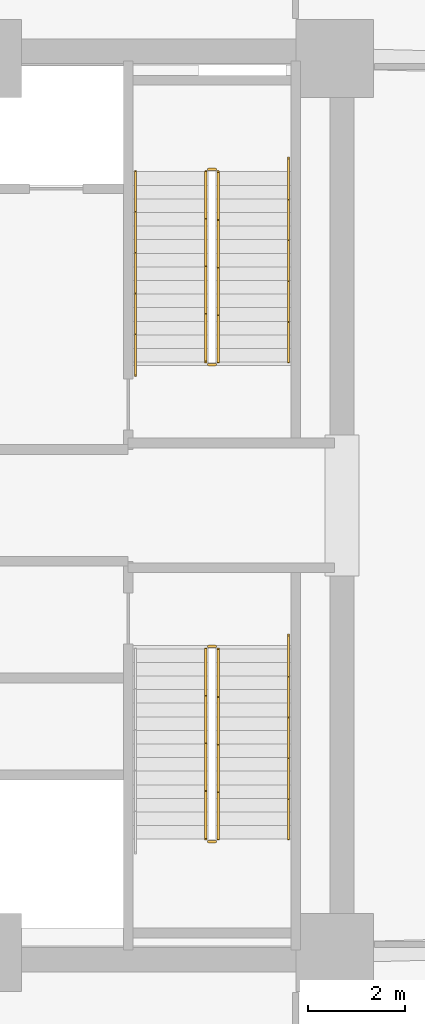
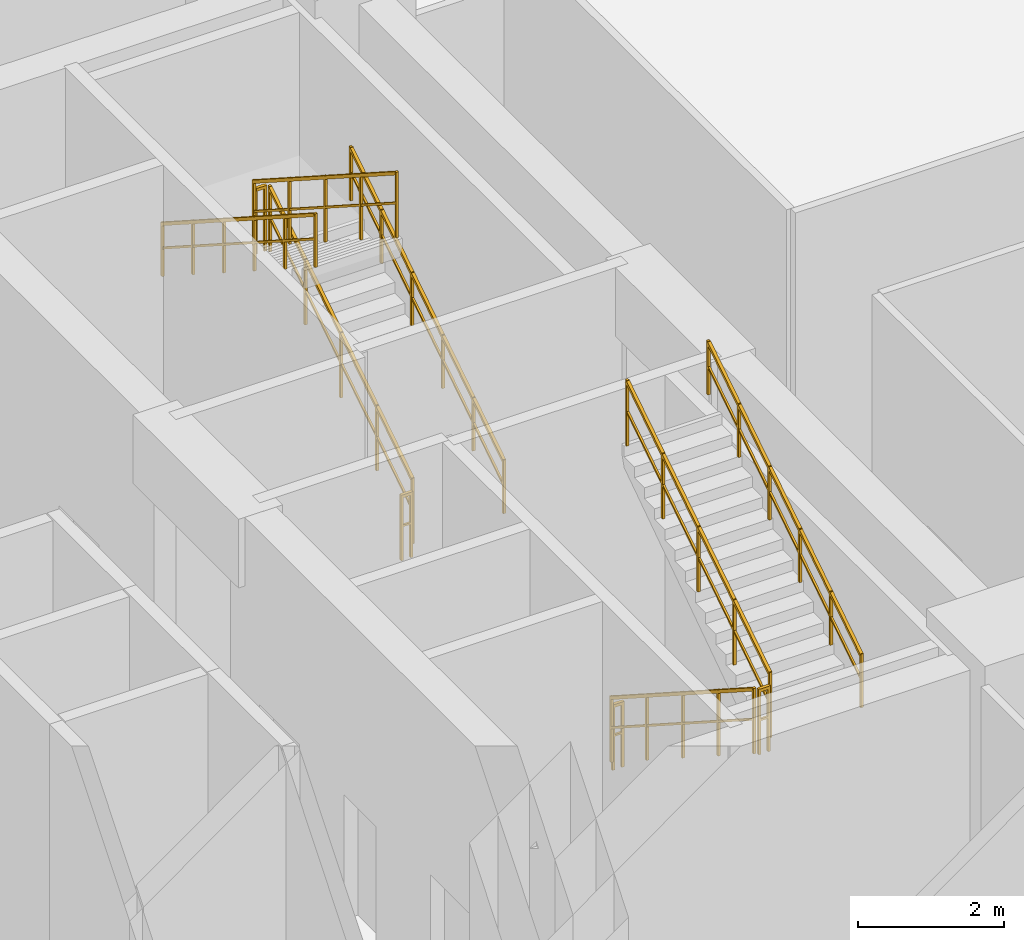
# One storey, part 14 of 15: 11 railings.
"""IFC4 building model written with IfcOpenShell, lengths in metres."""

from ifc_helpers import new_model, si_unit, direction, frame, origin, origin_2d, place, context, subcontext, project, spatial, rectangle, extrude, material, type_object, element, save


model = new_model("IFC4")

# Units and contexts
model_context = context("Model", 3, precision=1e-05, world=origin(), true_north=direction((0.0, 1.0)))
body_context = subcontext(model_context, "Body", "Model", "MODEL_VIEW")
ifc_project = project(units=[si_unit("LENGTHUNIT", "METRE"), si_unit("AREAUNIT", "SQUARE_METRE"), si_unit("VOLUMEUNIT", "CUBIC_METRE"), si_unit("PLANEANGLEUNIT", "RADIAN"), si_unit("MASSUNIT", "GRAM", prefix="KILO")], contexts=[model_context])

# Site, building, storey
site_placement = place(None, origin())
site = spatial("IfcSite", under=ifc_project, at=site_placement, CompositionType="ELEMENT")
building_placement = place(site_placement, origin())
building = spatial("IfcBuilding", under=site, at=building_placement, Name="Zahravan Cultural Tower", CompositionType="ELEMENT")
storey_placement = place(building_placement, frame((0.0, 0.0, 7.199951171875)))
storey = spatial("IfcBuildingStorey", under=building, at=storey_placement, Name="L01", CompositionType="ELEMENT", Elevation=7.199951171875)

# Railings
ifc_material = material(Name="Steel ASTM A572 Grade 50", Category="steel")
railing_type_1 = type_object("IfcRailingType", Name="RL-STAIR-GRD1150", PredefinedType="BALUSTRADE", material=ifc_material)
railing_1_placement = place(storey_placement, frame((47.949951171875, 29.949951171875, 0.179931640625)))
element("IfcRailing", 1, at=railing_1_placement, inside=storey, type_object=railing_type_1, Name="L01 ST-E1 stair guard 1", PredefinedType="BALUSTRADE", context=body_context, shape_type="SweptSolid", body=[
    extrude(rectangle(XDim=0.05, YDim=0.05, at=origin_2d()), frame((0.0, 0.0, 1.0751953125), z_axis=(0.0, 0.841186985886, 0.540744352514), x_axis=(-1.0, 0.0, 0.0)), (0.0, 0.0, 1.0), 4.660400390625),
    extrude(rectangle(XDim=0.032, YDim=0.032, at=origin_2d()), frame((0.0, 0.0, 0.572021484375), z_axis=(0.0, 0.841186985886, 0.540744352514), x_axis=(-1.0, 0.0, 0.0)), (0.0, 0.0, 1.0), 4.660400390625),
    extrude(rectangle(XDim=0.04, YDim=0.04, at=origin_2d()), origin(), (0.0, 0.0, 1.0), 1.10009765625),
    extrude(rectangle(XDim=0.04, YDim=0.04, at=origin_2d()), frame((0.0, 0.97998046875, 0.6298828125)), (0.0, 0.0, 1.0), 1.10009765625),
    extrude(rectangle(XDim=0.04, YDim=0.04, at=origin_2d()), frame((0.0, 1.9599609375, 1.260009765625)), (0.0, 0.0, 1.0), 1.10009765625),
    extrude(rectangle(XDim=0.04, YDim=0.04, at=origin_2d()), frame((0.0, 2.940185546875, 1.89013671875)), (0.0, 0.0, 1.0), 1.10009765625),
    extrude(rectangle(XDim=0.04, YDim=0.04, at=origin_2d()), frame((0.0, 3.920166015625, 2.52001953125)), (0.0, 0.0, 1.0), 1.10009765625),
])
railing_2_placement = place(storey_placement, frame((47.89990234375, 33.919921875, 2.699951171875)))
element("IfcRailing", 2, at=railing_2_placement, inside=storey, type_object=railing_type_1, Name="L01 ST-E1 stair guard 2", PredefinedType="BALUSTRADE", context=body_context, shape_type="SweptSolid", body=[
    extrude(rectangle(XDim=0.05, YDim=0.05, at=origin_2d()), frame((0.0, 0.0, 1.0751953125), z_axis=(-1.0, 0.0, 0.0), x_axis=(0.0, -1.0, 0.0)), (0.0, 0.0, 1.0), 0.14990234375),
    extrude(rectangle(XDim=0.032, YDim=0.032, at=origin_2d()), frame((0.0, 0.0, 0.572021484375), z_axis=(-1.0, 0.0, 0.0), x_axis=(0.0, -1.0, 0.0)), (0.0, 0.0, 1.0), 0.14990234375),
    extrude(rectangle(XDim=0.04, YDim=0.04, at=origin_2d()), origin(), (0.0, 0.0, 1.0), 1.10009765625),
    extrude(rectangle(XDim=0.04, YDim=0.04, at=origin_2d()), frame((-0.14990234375, 0.0, 0.0)), (0.0, 0.0, 1.0), 1.10009765625),
])
railing_3_placement = place(storey_placement, frame((47.699951171875, 33.8701171875, 2.880126953125)))
element("IfcRailing", 3, at=railing_3_placement, inside=storey, type_object=railing_type_1, Name="L01 ST-E1 stair guard 3", PredefinedType="BALUSTRADE", context=body_context, shape_type="SweptSolid", body=[
    extrude(rectangle(XDim=0.05, YDim=0.05, at=origin_2d()), frame((0.0, 0.0, 1.0751953125), z_axis=(0.0, -0.841186985886, 0.540744352514), x_axis=(1.0, 0.0, 0.0)), (0.0, 0.0, 1.0), 4.660400390625),
    extrude(rectangle(XDim=0.032, YDim=0.032, at=origin_2d()), frame((0.0, 0.0, 0.572021484375), z_axis=(0.0, -0.841186985886, 0.540744352514), x_axis=(1.0, 0.0, 0.0)), (0.0, 0.0, 1.0), 4.660400390625),
    extrude(rectangle(XDim=0.04, YDim=0.04, at=origin_2d()), origin(), (0.0, 0.0, 1.0), 1.10009765625),
    extrude(rectangle(XDim=0.04, YDim=0.04, at=origin_2d()), frame((0.0, -0.97998046875, 0.6298828125)), (0.0, 0.0, 1.0), 1.10009765625),
    extrude(rectangle(XDim=0.04, YDim=0.04, at=origin_2d()), frame((0.0, -1.9599609375, 1.260009765625)), (0.0, 0.0, 1.0), 1.10009765625),
    extrude(rectangle(XDim=0.04, YDim=0.04, at=origin_2d()), frame((0.0, -2.940185546875, 1.89013671875)), (0.0, 0.0, 1.0), 1.10009765625),
    extrude(rectangle(XDim=0.04, YDim=0.04, at=origin_2d()), frame((0.0, -3.920166015625, 2.52001953125)), (0.0, 0.0, 1.0), 1.10009765625),
])
railing_4_placement = place(storey_placement, frame((47.89990234375, 29.89990234375, 0.0)))
element("IfcRailing", 4, at=railing_4_placement, inside=storey, type_object=railing_type_1, Name="L01 ST-E1 stair guard 4", PredefinedType="BALUSTRADE", context=body_context, shape_type="SweptSolid", body=[
    extrude(rectangle(XDim=0.05, YDim=0.05, at=origin_2d()), frame((0.0, 0.0, 1.0751953125), z_axis=(-1.0, 0.0, 0.0), x_axis=(0.0, -1.0, 0.0)), (0.0, 0.0, 1.0), 0.14990234375),
    extrude(rectangle(XDim=0.032, YDim=0.032, at=origin_2d()), frame((0.0, 0.0, 0.572021484375), z_axis=(-1.0, 0.0, 0.0), x_axis=(0.0, -1.0, 0.0)), (0.0, 0.0, 1.0), 0.14990234375),
    extrude(rectangle(XDim=0.04, YDim=0.04, at=origin_2d()), origin(), (0.0, 0.0, 1.0), 1.10009765625),
    extrude(rectangle(XDim=0.04, YDim=0.04, at=origin_2d()), frame((-0.14990234375, 0.0, 0.0)), (0.0, 0.0, 1.0), 1.10009765625),
])
railing_5_placement = place(storey_placement, frame((47.699951171875, 24.050048828125, 0.179931640625)))
element("IfcRailing", 5, at=railing_5_placement, inside=storey, type_object=railing_type_1, Name="L01 ST-E2 stair guard 1", PredefinedType="BALUSTRADE", context=body_context, shape_type="SweptSolid", body=[
    extrude(rectangle(XDim=0.05, YDim=0.05, at=origin_2d()), frame((0.0, 0.0, 1.0751953125), z_axis=(0.0, -0.841186985886, 0.540744352514), x_axis=(1.0, 0.0, 0.0)), (0.0, 0.0, 1.0), 4.660400390625),
    extrude(rectangle(XDim=0.032, YDim=0.032, at=origin_2d()), frame((0.0, 0.0, 0.572021484375), z_axis=(0.0, -0.841186985886, 0.540744352514), x_axis=(1.0, 0.0, 0.0)), (0.0, 0.0, 1.0), 4.660400390625),
    extrude(rectangle(XDim=0.04, YDim=0.04, at=origin_2d()), origin(), (0.0, 0.0, 1.0), 1.10009765625),
    extrude(rectangle(XDim=0.04, YDim=0.04, at=origin_2d()), frame((0.0, -0.97998046875, 0.6298828125)), (0.0, 0.0, 1.0), 1.10009765625),
    extrude(rectangle(XDim=0.04, YDim=0.04, at=origin_2d()), frame((0.0, -1.9599609375, 1.260009765625)), (0.0, 0.0, 1.0), 1.10009765625),
    extrude(rectangle(XDim=0.04, YDim=0.04, at=origin_2d()), frame((0.0, -2.940185546875, 1.89013671875)), (0.0, 0.0, 1.0), 1.10009765625),
    extrude(rectangle(XDim=0.04, YDim=0.04, at=origin_2d()), frame((0.0, -3.920166015625, 2.52001953125)), (0.0, 0.0, 1.0), 1.10009765625),
])
railing_6_placement = place(storey_placement, frame((47.75, 20.080078125, 2.699951171875)))
element("IfcRailing", 6, at=railing_6_placement, inside=storey, type_object=railing_type_1, Name="L01 ST-E2 stair guard 2", PredefinedType="BALUSTRADE", context=body_context, shape_type="SweptSolid", body=[
    extrude(rectangle(XDim=0.05, YDim=0.05, at=origin_2d()), frame((0.0, 0.0, 1.0751953125), z_axis=(1.0, 0.0, 0.0), x_axis=(0.0, 1.0, 0.0)), (0.0, 0.0, 1.0), 0.14990234375),
    extrude(rectangle(XDim=0.032, YDim=0.032, at=origin_2d()), frame((0.0, 0.0, 0.572021484375), z_axis=(1.0, 0.0, 0.0), x_axis=(0.0, 1.0, 0.0)), (0.0, 0.0, 1.0), 0.14990234375),
    extrude(rectangle(XDim=0.04, YDim=0.04, at=origin_2d()), origin(), (0.0, 0.0, 1.0), 1.10009765625),
    extrude(rectangle(XDim=0.04, YDim=0.04, at=origin_2d()), frame((0.14990234375, 0.0, 0.0)), (0.0, 0.0, 1.0), 1.10009765625),
])
railing_7_placement = place(storey_placement, frame((47.949951171875, 20.1298828125, 2.880126953125)))
element("IfcRailing", 7, at=railing_7_placement, inside=storey, type_object=railing_type_1, Name="L01 ST-E2 stair guard 3", PredefinedType="BALUSTRADE", context=body_context, shape_type="SweptSolid", body=[
    extrude(rectangle(XDim=0.05, YDim=0.05, at=origin_2d()), frame((0.0, 0.0, 1.0751953125), z_axis=(0.0, 0.841186985886, 0.540744352514), x_axis=(-1.0, 0.0, 0.0)), (0.0, 0.0, 1.0), 4.660400390625),
    extrude(rectangle(XDim=0.032, YDim=0.032, at=origin_2d()), frame((0.0, 0.0, 0.572021484375), z_axis=(0.0, 0.841186985886, 0.540744352514), x_axis=(-1.0, 0.0, 0.0)), (0.0, 0.0, 1.0), 4.660400390625),
    extrude(rectangle(XDim=0.04, YDim=0.04, at=origin_2d()), origin(), (0.0, 0.0, 1.0), 1.10009765625),
    extrude(rectangle(XDim=0.04, YDim=0.04, at=origin_2d()), frame((0.0, 0.97998046875, 0.6298828125)), (0.0, 0.0, 1.0), 1.10009765625),
    extrude(rectangle(XDim=0.04, YDim=0.04, at=origin_2d()), frame((0.0, 1.9599609375, 1.260009765625)), (0.0, 0.0, 1.0), 1.10009765625),
    extrude(rectangle(XDim=0.04, YDim=0.04, at=origin_2d()), frame((0.0, 2.940185546875, 1.89013671875)), (0.0, 0.0, 1.0), 1.10009765625),
    extrude(rectangle(XDim=0.04, YDim=0.04, at=origin_2d()), frame((0.0, 3.920166015625, 2.52001953125)), (0.0, 0.0, 1.0), 1.10009765625),
])
railing_8_placement = place(storey_placement, frame((47.75, 24.10009765625, 0.0)))
element("IfcRailing", 8, at=railing_8_placement, inside=storey, type_object=railing_type_1, Name="L01 ST-E2 stair guard 4", PredefinedType="BALUSTRADE", context=body_context, shape_type="SweptSolid", body=[
    extrude(rectangle(XDim=0.05, YDim=0.05, at=origin_2d()), frame((0.0, 0.0, 1.0751953125), z_axis=(1.0, 0.0, 0.0), x_axis=(0.0, 1.0, 0.0)), (0.0, 0.0, 1.0), 0.14990234375),
    extrude(rectangle(XDim=0.032, YDim=0.032, at=origin_2d()), frame((0.0, 0.0, 0.572021484375), z_axis=(1.0, 0.0, 0.0), x_axis=(0.0, 1.0, 0.0)), (0.0, 0.0, 1.0), 0.14990234375),
    extrude(rectangle(XDim=0.04, YDim=0.04, at=origin_2d()), origin(), (0.0, 0.0, 1.0), 1.10009765625),
    extrude(rectangle(XDim=0.04, YDim=0.04, at=origin_2d()), frame((0.14990234375, 0.0, 0.0)), (0.0, 0.0, 1.0), 1.10009765625),
])
railing_type_2 = type_object("IfcRailingType", Name="RL-STAIR-HR900", PredefinedType="HANDRAIL", material=ifc_material)
railing_9_placement = place(storey_placement, frame((49.39990234375, 29.949951171875, 0.179931640625)))
element("IfcRailing", 9, at=railing_9_placement, inside=storey, type_object=railing_type_2, Name="L01 ST-E1 stair handrail 1", PredefinedType="HANDRAIL", context=body_context, shape_type="SweptSolid", body=[
    extrude(rectangle(XDim=0.05, YDim=0.05, at=origin_2d()), frame((0.0, 0.0, 0.875), z_axis=(0.0, 0.841157821942, 0.54078971753), x_axis=(-1.0, 0.0, 0.0)), (0.0, 0.0, 1.0), 4.9931640625),
    extrude(rectangle(XDim=0.032, YDim=0.032, at=origin_2d()), frame((0.0, 0.0, 0.468017578125), z_axis=(0.0, 0.841157821942, 0.54078971753), x_axis=(-1.0, 0.0, 0.0)), (0.0, 0.0, 1.0), 4.9931640625),
    extrude(rectangle(XDim=0.04, YDim=0.04, at=origin_2d()), origin(), (0.0, 0.0, 1.0), 0.89990234375),
    extrude(rectangle(XDim=0.04, YDim=0.04, at=origin_2d()), frame((0.0, 0.840087890625, 0.5400390625)), (0.0, 0.0, 1.0), 0.89990234375),
    extrude(rectangle(XDim=0.04, YDim=0.04, at=origin_2d()), frame((0.0, 1.679931640625, 1.080078125)), (0.0, 0.0, 1.0), 0.89990234375),
    extrude(rectangle(XDim=0.04, YDim=0.04, at=origin_2d()), frame((0.0, 2.52001953125, 1.6201171875)), (0.0, 0.0, 1.0), 0.89990234375),
    extrude(rectangle(XDim=0.04, YDim=0.04, at=origin_2d()), frame((0.0, 3.35986328125, 2.16015625)), (0.0, 0.0, 1.0), 0.89990234375),
    extrude(rectangle(XDim=0.04, YDim=0.04, at=origin_2d()), frame((0.0, 4.199951171875, 2.7001953125)), (0.0, 0.0, 1.0), 0.89990234375),
])
railing_10_placement = place(storey_placement, frame((46.25, 33.8701171875, 2.880126953125)))
element("IfcRailing", 10, at=railing_10_placement, inside=storey, type_object=railing_type_2, Name="L01 ST-E1 stair handrail 2", PredefinedType="HANDRAIL", context=body_context, shape_type="SweptSolid", body=[
    extrude(rectangle(XDim=0.05, YDim=0.05, at=origin_2d()), frame((0.0, 0.0, 0.875), z_axis=(0.0, -0.841194361566, 0.540732878665), x_axis=(1.0, 0.0, 0.0)), (0.0, 0.0, 1.0), 4.9931640625),
    extrude(rectangle(XDim=0.032, YDim=0.032, at=origin_2d()), frame((0.0, 0.0, 0.468017578125), z_axis=(0.0, -0.841194361566, 0.540732878665), x_axis=(1.0, 0.0, 0.0)), (0.0, 0.0, 1.0), 4.9931640625),
    extrude(rectangle(XDim=0.04, YDim=0.04, at=origin_2d()), origin(), (0.0, 0.0, 1.0), 0.89990234375),
    extrude(rectangle(XDim=0.04, YDim=0.04, at=origin_2d()), frame((0.0, -0.840087890625, 0.5400390625)), (0.0, 0.0, 1.0), 0.89990234375),
    extrude(rectangle(XDim=0.04, YDim=0.04, at=origin_2d()), frame((0.0, -1.68017578125, 1.080078125)), (0.0, 0.0, 1.0), 0.89990234375),
    extrude(rectangle(XDim=0.04, YDim=0.04, at=origin_2d()), frame((0.0, -2.52001953125, 1.619873046875)), (0.0, 0.0, 1.0), 0.89990234375),
    extrude(rectangle(XDim=0.04, YDim=0.04, at=origin_2d()), frame((0.0, -3.360107421875, 2.159912109375)), (0.0, 0.0, 1.0), 0.89990234375),
    extrude(rectangle(XDim=0.04, YDim=0.04, at=origin_2d()), frame((0.0, -4.2001953125, 2.699951171875)), (0.0, 0.0, 1.0), 0.89990234375),
])
railing_11_placement = place(storey_placement, frame((49.39990234375, 20.1298828125, 2.880126953125)))
element("IfcRailing", 11, at=railing_11_placement, inside=storey, type_object=railing_type_2, Name="L01 ST-E2 stair handrail 2", PredefinedType="HANDRAIL", context=body_context, shape_type="SweptSolid", body=[
    extrude(rectangle(XDim=0.05, YDim=0.05, at=origin_2d()), frame((0.0, 0.0, 0.875), z_axis=(0.0, 0.841194361566, 0.540732878665), x_axis=(-1.0, 0.0, 0.0)), (0.0, 0.0, 1.0), 4.9931640625),
    extrude(rectangle(XDim=0.032, YDim=0.032, at=origin_2d()), frame((0.0, 0.0, 0.468017578125), z_axis=(0.0, 0.841194361566, 0.540732878665), x_axis=(-1.0, 0.0, 0.0)), (0.0, 0.0, 1.0), 4.9931640625),
    extrude(rectangle(XDim=0.04, YDim=0.04, at=origin_2d()), origin(), (0.0, 0.0, 1.0), 0.89990234375),
    extrude(rectangle(XDim=0.04, YDim=0.04, at=origin_2d()), frame((0.0, 0.840087890625, 0.5400390625)), (0.0, 0.0, 1.0), 0.89990234375),
    extrude(rectangle(XDim=0.04, YDim=0.04, at=origin_2d()), frame((0.0, 1.68017578125, 1.080078125)), (0.0, 0.0, 1.0), 0.89990234375),
    extrude(rectangle(XDim=0.04, YDim=0.04, at=origin_2d()), frame((0.0, 2.52001953125, 1.619873046875)), (0.0, 0.0, 1.0), 0.89990234375),
    extrude(rectangle(XDim=0.04, YDim=0.04, at=origin_2d()), frame((0.0, 3.360107421875, 2.159912109375)), (0.0, 0.0, 1.0), 0.89990234375),
    extrude(rectangle(XDim=0.04, YDim=0.04, at=origin_2d()), frame((0.0, 4.2001953125, 2.699951171875)), (0.0, 0.0, 1.0), 0.89990234375),
])

save(model, "model.ifc")
